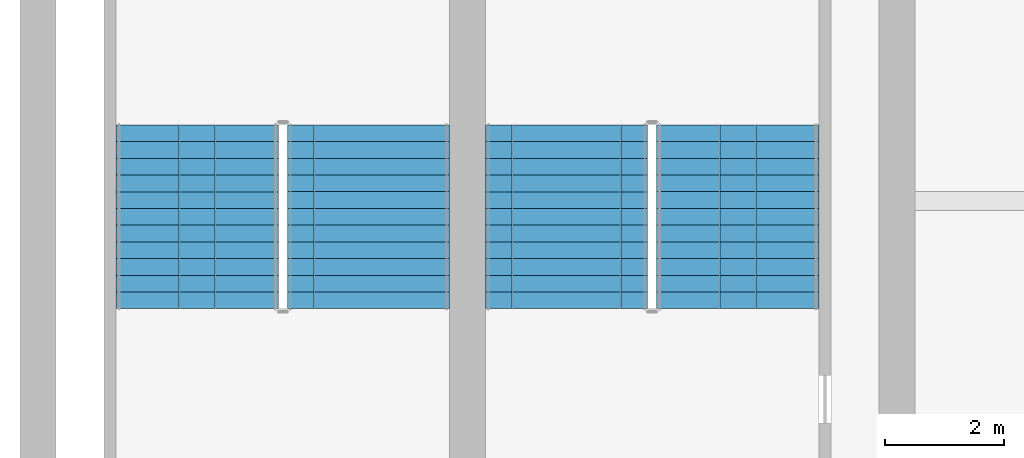
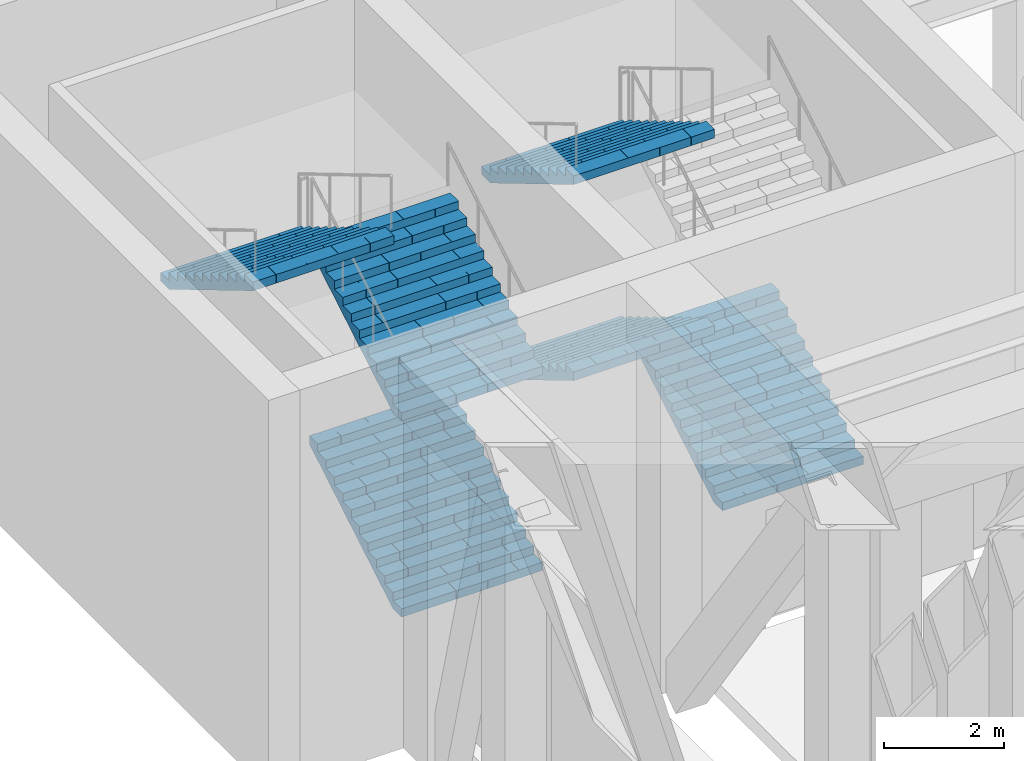
# One storey, part 15 of 20: 6 stair flights, 2 elements without a shape of their own.
"""IFC4 building model written with IfcOpenShell, lengths in metres."""

from ifc_helpers import new_model, si_unit, direction, frame, origin, place, context, subcontext, project, spatial, polyline, outline, extrude, material, type_object, element, aggregate, save


model = new_model("IFC4")

# Units and contexts
model_context = context("Model", 3, precision=1e-05, world=origin(), true_north=direction((0.0, 1.0)))
body_context = subcontext(model_context, "Body", "Model", "MODEL_VIEW")
ifc_project = project(units=[si_unit("LENGTHUNIT", "METRE"), si_unit("AREAUNIT", "SQUARE_METRE"), si_unit("VOLUMEUNIT", "CUBIC_METRE"), si_unit("PLANEANGLEUNIT", "RADIAN"), si_unit("MASSUNIT", "GRAM", prefix="KILO")], contexts=[model_context])

# Site, building, storey
site_placement = place(None, origin())
site = spatial("IfcSite", under=ifc_project, at=site_placement, CompositionType="ELEMENT")
building_placement = place(site_placement, origin())
building = spatial("IfcBuilding", under=site, at=building_placement, Name="Corbelhall Arena Tower", CompositionType="ELEMENT")
storey_placement = place(building_placement, frame((0.0, 0.0, 52.0)))
storey = spatial("IfcBuildingStorey", under=building, at=storey_placement, Name="L07", CompositionType="ELEMENT", Elevation=52.0)

# Stair, stair flights
ifc_material = material(Name="Reinforced concrete C40/50", Category="concrete")
stair_type = type_object("IfcStairType", Name="AR-EXIT-STAIR", PredefinedType="HALF_TURN_STAIR", material=ifc_material)
stair_1_placement = place(storey_placement, origin())
stair_1 = element("IfcStair", 1, at=stair_1_placement, inside=storey, type_object=stair_type, Name="L07 exit stair AS3", PredefinedType="HALF_TURN_STAIR")
stair_flight_type = type_object("IfcStairFlightType", Name="AR-EXIT-FLIGHT", PredefinedType="STRAIGHT", material=ifc_material)
stair_flight_1_placement = place(storey_placement, frame((-35.969970703125, 27.320068359375, 0.0), z_axis=(0.0, 0.0, 1.0), x_axis=(0.0, 1.0, 0.0)))
stair_flight_1 = element("IfcStairFlight", 2, at=stair_flight_1_placement, type_object=stair_flight_type, Name="AS3 flight 1", NumberOfRisers=12, NumberOfTreads=11, PredefinedType="STRAIGHT", RiserHeight=0.166666667, TreadLength=0.28, context=body_context, shape_type="SweptSolid", body=[
    extrude(outline(polyline([(0.0, 0.0), (0.0, 0.166748046875), (0.280029296875, 0.166748046875), (0.280029296875, 0.333251953125), (0.56005859375, 0.333251953125), (0.56005859375, 0.5), (0.840087890625, 0.5), (0.840087890625, 0.666748046875), (1.1201171875, 0.666748046875), (1.1201171875, 0.833251953125), (1.39990234375, 0.833251953125), (1.39990234375, 1.0), (1.679931640625, 1.0), (1.679931640625, 1.166748046875), (1.9599609375, 1.166748046875), (1.9599609375, 1.333251953125), (2.239990234375, 1.333251953125), (2.239990234375, 1.5), (2.52001953125, 1.5), (2.52001953125, 1.666748046875), (2.800048828125, 1.666748046875), (2.800048828125, 1.833251953125), (3.080078125, 1.833251953125), (3.080078125, 2.0), (3.080078125, 1.658935546875), (0.29296875, 0.0), (0.0, 0.0)])), frame((0.0, 1.35986328125, 0.0), z_axis=(0.0, -1.0, 0.0), x_axis=(1.0, 0.0, 0.0)), (0.0, 0.0, 1.0), 0.449951171875),
    extrude(outline(polyline([(0.0, 0.0), (0.0, 0.166748046875), (0.280029296875, 0.166748046875), (0.280029296875, 0.333251953125), (0.56005859375, 0.333251953125), (0.56005859375, 0.5), (0.840087890625, 0.5), (0.840087890625, 0.666748046875), (1.1201171875, 0.666748046875), (1.1201171875, 0.833251953125), (1.39990234375, 0.833251953125), (1.39990234375, 1.0), (1.679931640625, 1.0), (1.679931640625, 1.166748046875), (1.9599609375, 1.166748046875), (1.9599609375, 1.333251953125), (2.239990234375, 1.333251953125), (2.239990234375, 1.5), (2.52001953125, 1.5), (2.52001953125, 1.666748046875), (2.800048828125, 1.666748046875), (2.800048828125, 1.833251953125), (3.080078125, 1.833251953125), (3.080078125, 2.0), (3.080078125, 1.658935546875), (0.29296875, 0.0), (0.0, 0.0)])), frame((0.0, 0.906005859375, 0.0), z_axis=(0.0, -1.0, 0.0), x_axis=(1.0, 0.0, 0.0)), (0.0, 0.0, 1.0), 0.601318359375),
    extrude(outline(polyline([(0.0, 0.0), (0.0, 0.166748046875), (0.280029296875, 0.166748046875), (0.280029296875, 0.333251953125), (0.56005859375, 0.333251953125), (0.56005859375, 0.5), (0.840087890625, 0.5), (0.840087890625, 0.666748046875), (1.1201171875, 0.666748046875), (1.1201171875, 0.833251953125), (1.39990234375, 0.833251953125), (1.39990234375, 1.0), (1.679931640625, 1.0), (1.679931640625, 1.166748046875), (1.9599609375, 1.166748046875), (1.9599609375, 1.333251953125), (2.239990234375, 1.333251953125), (2.239990234375, 1.5), (2.52001953125, 1.5), (2.52001953125, 1.666748046875), (2.800048828125, 1.666748046875), (2.800048828125, 1.833251953125), (3.080078125, 1.833251953125), (3.080078125, 2.0), (3.080078125, 1.658935546875), (0.29296875, 0.0), (0.0, 0.0)])), frame((0.0, 0.30078125, 0.0), z_axis=(0.0, -1.0, 0.0), x_axis=(1.0, 0.0, 0.0)), (0.0, 0.0, 1.0), 0.601318359375),
    extrude(outline(polyline([(0.0, 0.0), (0.0, 0.166748046875), (0.280029296875, 0.166748046875), (0.280029296875, 0.333251953125), (0.56005859375, 0.333251953125), (0.56005859375, 0.5), (0.840087890625, 0.5), (0.840087890625, 0.666748046875), (1.1201171875, 0.666748046875), (1.1201171875, 0.833251953125), (1.39990234375, 0.833251953125), (1.39990234375, 1.0), (1.679931640625, 1.0), (1.679931640625, 1.166748046875), (1.9599609375, 1.166748046875), (1.9599609375, 1.333251953125), (2.239990234375, 1.333251953125), (2.239990234375, 1.5), (2.52001953125, 1.5), (2.52001953125, 1.666748046875), (2.800048828125, 1.666748046875), (2.800048828125, 1.833251953125), (3.080078125, 1.833251953125), (3.080078125, 2.0), (3.080078125, 1.658935546875), (0.29296875, 0.0), (0.0, 0.0)])), frame((0.0, -0.3046875, 0.0), z_axis=(0.0, -1.0, 0.0), x_axis=(1.0, 0.0, 0.0)), (0.0, 0.0, 1.0), 0.601318359375),
    extrude(outline(polyline([(0.0, 0.0), (0.0, 0.166748046875), (0.280029296875, 0.166748046875), (0.280029296875, 0.333251953125), (0.56005859375, 0.333251953125), (0.56005859375, 0.5), (0.840087890625, 0.5), (0.840087890625, 0.666748046875), (1.1201171875, 0.666748046875), (1.1201171875, 0.833251953125), (1.39990234375, 0.833251953125), (1.39990234375, 1.0), (1.679931640625, 1.0), (1.679931640625, 1.166748046875), (1.9599609375, 1.166748046875), (1.9599609375, 1.333251953125), (2.239990234375, 1.333251953125), (2.239990234375, 1.5), (2.52001953125, 1.5), (2.52001953125, 1.666748046875), (2.800048828125, 1.666748046875), (2.800048828125, 1.833251953125), (3.080078125, 1.833251953125), (3.080078125, 2.0), (3.080078125, 1.658935546875), (0.29296875, 0.0), (0.0, 0.0)])), frame((0.0, -0.909912109375, 0.0), z_axis=(0.0, -1.0, 0.0), x_axis=(1.0, 0.0, 0.0)), (0.0, 0.0, 1.0), 0.449951171875),
])
stair_flight_2_placement = place(storey_placement, frame((-38.840087890625, 30.39990234375, 2.0), z_axis=(0.0, 0.0, 1.0), x_axis=(0.0, -1.0, 0.0)))
stair_flight_2 = element("IfcStairFlight", 3, at=stair_flight_2_placement, type_object=stair_flight_type, Name="AS3 flight 2", NumberOfRisers=12, NumberOfTreads=11, PredefinedType="STRAIGHT", RiserHeight=0.166666667, TreadLength=0.28, context=body_context, shape_type="SweptSolid", body=[
    extrude(outline(polyline([(0.0, 0.0), (0.0, 0.166748046875), (0.280029296875, 0.166748046875), (0.280029296875, 0.333251953125), (0.56005859375, 0.333251953125), (0.56005859375, 0.5), (0.840087890625, 0.5), (0.840087890625, 0.666748046875), (1.1201171875, 0.666748046875), (1.1201171875, 0.833251953125), (1.39990234375, 0.833251953125), (1.39990234375, 1.0), (1.679931640625, 1.0), (1.679931640625, 1.166748046875), (1.9599609375, 1.166748046875), (1.9599609375, 1.333251953125), (2.239990234375, 1.333251953125), (2.239990234375, 1.5), (2.52001953125, 1.5), (2.52001953125, 1.666748046875), (2.800048828125, 1.666748046875), (2.800048828125, 1.833251953125), (3.080078125, 1.833251953125), (3.080078125, 2.0), (3.080078125, 1.658935546875), (0.29296875, 0.0), (0.0, 0.0)])), frame((0.0, 1.35986328125, 0.0), z_axis=(0.0, -1.0, 0.0), x_axis=(1.0, 0.0, 0.0)), (0.0, 0.0, 1.0), 0.449951171875),
    extrude(outline(polyline([(0.0, 0.0), (0.0, 0.166748046875), (0.280029296875, 0.166748046875), (0.280029296875, 0.333251953125), (0.56005859375, 0.333251953125), (0.56005859375, 0.5), (0.840087890625, 0.5), (0.840087890625, 0.666748046875), (1.1201171875, 0.666748046875), (1.1201171875, 0.833251953125), (1.39990234375, 0.833251953125), (1.39990234375, 1.0), (1.679931640625, 1.0), (1.679931640625, 1.166748046875), (1.9599609375, 1.166748046875), (1.9599609375, 1.333251953125), (2.239990234375, 1.333251953125), (2.239990234375, 1.5), (2.52001953125, 1.5), (2.52001953125, 1.666748046875), (2.800048828125, 1.666748046875), (2.800048828125, 1.833251953125), (3.080078125, 1.833251953125), (3.080078125, 2.0), (3.080078125, 1.658935546875), (0.29296875, 0.0), (0.0, 0.0)])), frame((0.0, 0.906005859375, 0.0), z_axis=(0.0, -1.0, 0.0), x_axis=(1.0, 0.0, 0.0)), (0.0, 0.0, 1.0), 0.601318359375),
    extrude(outline(polyline([(0.0, 0.0), (0.0, 0.166748046875), (0.280029296875, 0.166748046875), (0.280029296875, 0.333251953125), (0.56005859375, 0.333251953125), (0.56005859375, 0.5), (0.840087890625, 0.5), (0.840087890625, 0.666748046875), (1.1201171875, 0.666748046875), (1.1201171875, 0.833251953125), (1.39990234375, 0.833251953125), (1.39990234375, 1.0), (1.679931640625, 1.0), (1.679931640625, 1.166748046875), (1.9599609375, 1.166748046875), (1.9599609375, 1.333251953125), (2.239990234375, 1.333251953125), (2.239990234375, 1.5), (2.52001953125, 1.5), (2.52001953125, 1.666748046875), (2.800048828125, 1.666748046875), (2.800048828125, 1.833251953125), (3.080078125, 1.833251953125), (3.080078125, 2.0), (3.080078125, 1.658935546875), (0.29296875, 0.0), (0.0, 0.0)])), frame((0.0, 0.30078125, 0.0), z_axis=(0.0, -1.0, 0.0), x_axis=(1.0, 0.0, 0.0)), (0.0, 0.0, 1.0), 0.601318359375),
    extrude(outline(polyline([(0.0, 0.0), (0.0, 0.166748046875), (0.280029296875, 0.166748046875), (0.280029296875, 0.333251953125), (0.56005859375, 0.333251953125), (0.56005859375, 0.5), (0.840087890625, 0.5), (0.840087890625, 0.666748046875), (1.1201171875, 0.666748046875), (1.1201171875, 0.833251953125), (1.39990234375, 0.833251953125), (1.39990234375, 1.0), (1.679931640625, 1.0), (1.679931640625, 1.166748046875), (1.9599609375, 1.166748046875), (1.9599609375, 1.333251953125), (2.239990234375, 1.333251953125), (2.239990234375, 1.5), (2.52001953125, 1.5), (2.52001953125, 1.666748046875), (2.800048828125, 1.666748046875), (2.800048828125, 1.833251953125), (3.080078125, 1.833251953125), (3.080078125, 2.0), (3.080078125, 1.658935546875), (0.29296875, 0.0), (0.0, 0.0)])), frame((0.0, -0.3046875, 0.0), z_axis=(0.0, -1.0, 0.0), x_axis=(1.0, 0.0, 0.0)), (0.0, 0.0, 1.0), 0.601318359375),
    extrude(outline(polyline([(0.0, 0.0), (0.0, 0.166748046875), (0.280029296875, 0.166748046875), (0.280029296875, 0.333251953125), (0.56005859375, 0.333251953125), (0.56005859375, 0.5), (0.840087890625, 0.5), (0.840087890625, 0.666748046875), (1.1201171875, 0.666748046875), (1.1201171875, 0.833251953125), (1.39990234375, 0.833251953125), (1.39990234375, 1.0), (1.679931640625, 1.0), (1.679931640625, 1.166748046875), (1.9599609375, 1.166748046875), (1.9599609375, 1.333251953125), (2.239990234375, 1.333251953125), (2.239990234375, 1.5), (2.52001953125, 1.5), (2.52001953125, 1.666748046875), (2.800048828125, 1.666748046875), (2.800048828125, 1.833251953125), (3.080078125, 1.833251953125), (3.080078125, 2.0), (3.080078125, 1.658935546875), (0.29296875, 0.0), (0.0, 0.0)])), frame((0.0, -0.909912109375, 0.0), z_axis=(0.0, -1.0, 0.0), x_axis=(1.0, 0.0, 0.0)), (0.0, 0.0, 1.0), 0.449951171875),
])
stair_flight_3_placement = place(storey_placement, frame((-38.840087890625, 30.39990234375, 6.0), z_axis=(0.0, 0.0, 1.0), x_axis=(0.0, -1.0, 0.0)))
stair_flight_3 = element("IfcStairFlight", 4, at=stair_flight_3_placement, type_object=stair_flight_type, Name="AS3 flight 4", NumberOfRisers=12, NumberOfTreads=11, PredefinedType="STRAIGHT", RiserHeight=0.166666667, TreadLength=0.28, context=body_context, shape_type="SweptSolid", body=[
    extrude(outline(polyline([(0.0, 0.0), (0.0, 0.166748046875), (0.280029296875, 0.166748046875), (0.280029296875, 0.333251953125), (0.56005859375, 0.333251953125), (0.56005859375, 0.5), (0.840087890625, 0.5), (0.840087890625, 0.666748046875), (1.1201171875, 0.666748046875), (1.1201171875, 0.833251953125), (1.39990234375, 0.833251953125), (1.39990234375, 1.0), (1.679931640625, 1.0), (1.679931640625, 1.166748046875), (1.9599609375, 1.166748046875), (1.9599609375, 1.333251953125), (2.239990234375, 1.333251953125), (2.239990234375, 1.5), (2.52001953125, 1.5), (2.52001953125, 1.666748046875), (2.800048828125, 1.666748046875), (2.800048828125, 1.833251953125), (3.080078125, 1.833251953125), (3.080078125, 2.0), (3.080078125, 1.658935546875), (0.29296875, 0.0), (0.0, 0.0)])), frame((0.0, 1.35986328125, 0.0), z_axis=(0.0, -1.0, 0.0), x_axis=(1.0, 0.0, 0.0)), (0.0, 0.0, 1.0), 0.449951171875),
    extrude(outline(polyline([(0.0, 0.0), (0.0, 0.166748046875), (0.280029296875, 0.166748046875), (0.280029296875, 0.333251953125), (0.56005859375, 0.333251953125), (0.56005859375, 0.5), (0.840087890625, 0.5), (0.840087890625, 0.666748046875), (1.1201171875, 0.666748046875), (1.1201171875, 0.833251953125), (1.39990234375, 0.833251953125), (1.39990234375, 1.0), (1.679931640625, 1.0), (1.679931640625, 1.166748046875), (1.9599609375, 1.166748046875), (1.9599609375, 1.333251953125), (2.239990234375, 1.333251953125), (2.239990234375, 1.5), (2.52001953125, 1.5), (2.52001953125, 1.666748046875), (2.800048828125, 1.666748046875), (2.800048828125, 1.833251953125), (3.080078125, 1.833251953125), (3.080078125, 2.0), (3.080078125, 1.658935546875), (0.29296875, 0.0), (0.0, 0.0)])), frame((0.0, 0.906005859375, 0.0), z_axis=(0.0, -1.0, 0.0), x_axis=(1.0, 0.0, 0.0)), (0.0, 0.0, 1.0), 0.601318359375),
    extrude(outline(polyline([(0.0, 0.0), (0.0, 0.166748046875), (0.280029296875, 0.166748046875), (0.280029296875, 0.333251953125), (0.56005859375, 0.333251953125), (0.56005859375, 0.5), (0.840087890625, 0.5), (0.840087890625, 0.666748046875), (1.1201171875, 0.666748046875), (1.1201171875, 0.833251953125), (1.39990234375, 0.833251953125), (1.39990234375, 1.0), (1.679931640625, 1.0), (1.679931640625, 1.166748046875), (1.9599609375, 1.166748046875), (1.9599609375, 1.333251953125), (2.239990234375, 1.333251953125), (2.239990234375, 1.5), (2.52001953125, 1.5), (2.52001953125, 1.666748046875), (2.800048828125, 1.666748046875), (2.800048828125, 1.833251953125), (3.080078125, 1.833251953125), (3.080078125, 2.0), (3.080078125, 1.658935546875), (0.29296875, 0.0), (0.0, 0.0)])), frame((0.0, 0.30078125, 0.0), z_axis=(0.0, -1.0, 0.0), x_axis=(1.0, 0.0, 0.0)), (0.0, 0.0, 1.0), 0.601318359375),
    extrude(outline(polyline([(0.0, 0.0), (0.0, 0.166748046875), (0.280029296875, 0.166748046875), (0.280029296875, 0.333251953125), (0.56005859375, 0.333251953125), (0.56005859375, 0.5), (0.840087890625, 0.5), (0.840087890625, 0.666748046875), (1.1201171875, 0.666748046875), (1.1201171875, 0.833251953125), (1.39990234375, 0.833251953125), (1.39990234375, 1.0), (1.679931640625, 1.0), (1.679931640625, 1.166748046875), (1.9599609375, 1.166748046875), (1.9599609375, 1.333251953125), (2.239990234375, 1.333251953125), (2.239990234375, 1.5), (2.52001953125, 1.5), (2.52001953125, 1.666748046875), (2.800048828125, 1.666748046875), (2.800048828125, 1.833251953125), (3.080078125, 1.833251953125), (3.080078125, 2.0), (3.080078125, 1.658935546875), (0.29296875, 0.0), (0.0, 0.0)])), frame((0.0, -0.3046875, 0.0), z_axis=(0.0, -1.0, 0.0), x_axis=(1.0, 0.0, 0.0)), (0.0, 0.0, 1.0), 0.601318359375),
    extrude(outline(polyline([(0.0, 0.0), (0.0, 0.166748046875), (0.280029296875, 0.166748046875), (0.280029296875, 0.333251953125), (0.56005859375, 0.333251953125), (0.56005859375, 0.5), (0.840087890625, 0.5), (0.840087890625, 0.666748046875), (1.1201171875, 0.666748046875), (1.1201171875, 0.833251953125), (1.39990234375, 0.833251953125), (1.39990234375, 1.0), (1.679931640625, 1.0), (1.679931640625, 1.166748046875), (1.9599609375, 1.166748046875), (1.9599609375, 1.333251953125), (2.239990234375, 1.333251953125), (2.239990234375, 1.5), (2.52001953125, 1.5), (2.52001953125, 1.666748046875), (2.800048828125, 1.666748046875), (2.800048828125, 1.833251953125), (3.080078125, 1.833251953125), (3.080078125, 2.0), (3.080078125, 1.658935546875), (0.29296875, 0.0), (0.0, 0.0)])), frame((0.0, -0.909912109375, 0.0), z_axis=(0.0, -1.0, 0.0), x_axis=(1.0, 0.0, 0.0)), (0.0, 0.0, 1.0), 0.449951171875),
])
aggregate(stair_1, [stair_flight_1, stair_flight_2, stair_flight_3])

stair_2_placement = place(storey_placement, origin())
stair_2 = element("IfcStair", 5, at=stair_2_placement, inside=storey, type_object=stair_type, Name="L07 exit stair AS4", PredefinedType="HALF_TURN_STAIR")
stair_flight_4_placement = place(storey_placement, frame((-42.159912109375, 27.320068359375, 0.0), z_axis=(0.0, 0.0, 1.0), x_axis=(0.0, 1.0, 0.0)))
stair_flight_4 = element("IfcStairFlight", 6, at=stair_flight_4_placement, type_object=stair_flight_type, Name="AS4 flight 1", NumberOfRisers=12, NumberOfTreads=11, PredefinedType="STRAIGHT", RiserHeight=0.166666667, TreadLength=0.28, context=body_context, shape_type="SweptSolid", body=[
    extrude(outline(polyline([(0.0, 0.0), (0.0, 0.166748046875), (0.280029296875, 0.166748046875), (0.280029296875, 0.333251953125), (0.56005859375, 0.333251953125), (0.56005859375, 0.5), (0.840087890625, 0.5), (0.840087890625, 0.666748046875), (1.1201171875, 0.666748046875), (1.1201171875, 0.833251953125), (1.39990234375, 0.833251953125), (1.39990234375, 1.0), (1.679931640625, 1.0), (1.679931640625, 1.166748046875), (1.9599609375, 1.166748046875), (1.9599609375, 1.333251953125), (2.239990234375, 1.333251953125), (2.239990234375, 1.5), (2.52001953125, 1.5), (2.52001953125, 1.666748046875), (2.800048828125, 1.666748046875), (2.800048828125, 1.833251953125), (3.080078125, 1.833251953125), (3.080078125, 2.0), (3.080078125, 1.658935546875), (0.29296875, 0.0), (0.0, 0.0)])), frame((0.0, 1.35986328125, 0.0), z_axis=(0.0, -1.0, 0.0), x_axis=(1.0, 0.0, 0.0)), (0.0, 0.0, 1.0), 0.449951171875),
    extrude(outline(polyline([(0.0, 0.0), (0.0, 0.166748046875), (0.280029296875, 0.166748046875), (0.280029296875, 0.333251953125), (0.56005859375, 0.333251953125), (0.56005859375, 0.5), (0.840087890625, 0.5), (0.840087890625, 0.666748046875), (1.1201171875, 0.666748046875), (1.1201171875, 0.833251953125), (1.39990234375, 0.833251953125), (1.39990234375, 1.0), (1.679931640625, 1.0), (1.679931640625, 1.166748046875), (1.9599609375, 1.166748046875), (1.9599609375, 1.333251953125), (2.239990234375, 1.333251953125), (2.239990234375, 1.5), (2.52001953125, 1.5), (2.52001953125, 1.666748046875), (2.800048828125, 1.666748046875), (2.800048828125, 1.833251953125), (3.080078125, 1.833251953125), (3.080078125, 2.0), (3.080078125, 1.658935546875), (0.29296875, 0.0), (0.0, 0.0)])), frame((0.0, 0.906005859375, 0.0), z_axis=(0.0, -1.0, 0.0), x_axis=(1.0, 0.0, 0.0)), (0.0, 0.0, 1.0), 0.601318359375),
    extrude(outline(polyline([(0.0, 0.0), (0.0, 0.166748046875), (0.280029296875, 0.166748046875), (0.280029296875, 0.333251953125), (0.56005859375, 0.333251953125), (0.56005859375, 0.5), (0.840087890625, 0.5), (0.840087890625, 0.666748046875), (1.1201171875, 0.666748046875), (1.1201171875, 0.833251953125), (1.39990234375, 0.833251953125), (1.39990234375, 1.0), (1.679931640625, 1.0), (1.679931640625, 1.166748046875), (1.9599609375, 1.166748046875), (1.9599609375, 1.333251953125), (2.239990234375, 1.333251953125), (2.239990234375, 1.5), (2.52001953125, 1.5), (2.52001953125, 1.666748046875), (2.800048828125, 1.666748046875), (2.800048828125, 1.833251953125), (3.080078125, 1.833251953125), (3.080078125, 2.0), (3.080078125, 1.658935546875), (0.29296875, 0.0), (0.0, 0.0)])), frame((0.0, 0.30078125, 0.0), z_axis=(0.0, -1.0, 0.0), x_axis=(1.0, 0.0, 0.0)), (0.0, 0.0, 1.0), 0.601318359375),
    extrude(outline(polyline([(0.0, 0.0), (0.0, 0.166748046875), (0.280029296875, 0.166748046875), (0.280029296875, 0.333251953125), (0.56005859375, 0.333251953125), (0.56005859375, 0.5), (0.840087890625, 0.5), (0.840087890625, 0.666748046875), (1.1201171875, 0.666748046875), (1.1201171875, 0.833251953125), (1.39990234375, 0.833251953125), (1.39990234375, 1.0), (1.679931640625, 1.0), (1.679931640625, 1.166748046875), (1.9599609375, 1.166748046875), (1.9599609375, 1.333251953125), (2.239990234375, 1.333251953125), (2.239990234375, 1.5), (2.52001953125, 1.5), (2.52001953125, 1.666748046875), (2.800048828125, 1.666748046875), (2.800048828125, 1.833251953125), (3.080078125, 1.833251953125), (3.080078125, 2.0), (3.080078125, 1.658935546875), (0.29296875, 0.0), (0.0, 0.0)])), frame((0.0, -0.3046875, 0.0), z_axis=(0.0, -1.0, 0.0), x_axis=(1.0, 0.0, 0.0)), (0.0, 0.0, 1.0), 0.601318359375),
    extrude(outline(polyline([(0.0, 0.0), (0.0, 0.166748046875), (0.280029296875, 0.166748046875), (0.280029296875, 0.333251953125), (0.56005859375, 0.333251953125), (0.56005859375, 0.5), (0.840087890625, 0.5), (0.840087890625, 0.666748046875), (1.1201171875, 0.666748046875), (1.1201171875, 0.833251953125), (1.39990234375, 0.833251953125), (1.39990234375, 1.0), (1.679931640625, 1.0), (1.679931640625, 1.166748046875), (1.9599609375, 1.166748046875), (1.9599609375, 1.333251953125), (2.239990234375, 1.333251953125), (2.239990234375, 1.5), (2.52001953125, 1.5), (2.52001953125, 1.666748046875), (2.800048828125, 1.666748046875), (2.800048828125, 1.833251953125), (3.080078125, 1.833251953125), (3.080078125, 2.0), (3.080078125, 1.658935546875), (0.29296875, 0.0), (0.0, 0.0)])), frame((0.0, -0.909912109375, 0.0), z_axis=(0.0, -1.0, 0.0), x_axis=(1.0, 0.0, 0.0)), (0.0, 0.0, 1.0), 0.449951171875),
])
stair_flight_5_placement = place(storey_placement, frame((-42.159912109375, 27.320068359375, 4.0), z_axis=(0.0, 0.0, 1.0), x_axis=(0.0, 1.0, 0.0)))
stair_flight_5 = element("IfcStairFlight", 7, at=stair_flight_5_placement, type_object=stair_flight_type, Name="AS4 flight 3", NumberOfRisers=12, NumberOfTreads=11, PredefinedType="STRAIGHT", RiserHeight=0.166666667, TreadLength=0.28, context=body_context, shape_type="SweptSolid", body=[
    extrude(outline(polyline([(0.0, 0.0), (0.0, 0.166748046875), (0.280029296875, 0.166748046875), (0.280029296875, 0.333251953125), (0.56005859375, 0.333251953125), (0.56005859375, 0.5), (0.840087890625, 0.5), (0.840087890625, 0.666748046875), (1.1201171875, 0.666748046875), (1.1201171875, 0.833251953125), (1.39990234375, 0.833251953125), (1.39990234375, 1.0), (1.679931640625, 1.0), (1.679931640625, 1.166748046875), (1.9599609375, 1.166748046875), (1.9599609375, 1.333251953125), (2.239990234375, 1.333251953125), (2.239990234375, 1.5), (2.52001953125, 1.5), (2.52001953125, 1.666748046875), (2.800048828125, 1.666748046875), (2.800048828125, 1.833251953125), (3.080078125, 1.833251953125), (3.080078125, 2.0), (3.080078125, 1.658935546875), (0.29296875, 0.0), (0.0, 0.0)])), frame((0.0, 1.35986328125, 0.0), z_axis=(0.0, -1.0, 0.0), x_axis=(1.0, 0.0, 0.0)), (0.0, 0.0, 1.0), 0.449951171875),
    extrude(outline(polyline([(0.0, 0.0), (0.0, 0.166748046875), (0.280029296875, 0.166748046875), (0.280029296875, 0.333251953125), (0.56005859375, 0.333251953125), (0.56005859375, 0.5), (0.840087890625, 0.5), (0.840087890625, 0.666748046875), (1.1201171875, 0.666748046875), (1.1201171875, 0.833251953125), (1.39990234375, 0.833251953125), (1.39990234375, 1.0), (1.679931640625, 1.0), (1.679931640625, 1.166748046875), (1.9599609375, 1.166748046875), (1.9599609375, 1.333251953125), (2.239990234375, 1.333251953125), (2.239990234375, 1.5), (2.52001953125, 1.5), (2.52001953125, 1.666748046875), (2.800048828125, 1.666748046875), (2.800048828125, 1.833251953125), (3.080078125, 1.833251953125), (3.080078125, 2.0), (3.080078125, 1.658935546875), (0.29296875, 0.0), (0.0, 0.0)])), frame((0.0, 0.906005859375, 0.0), z_axis=(0.0, -1.0, 0.0), x_axis=(1.0, 0.0, 0.0)), (0.0, 0.0, 1.0), 0.601318359375),
    extrude(outline(polyline([(0.0, 0.0), (0.0, 0.166748046875), (0.280029296875, 0.166748046875), (0.280029296875, 0.333251953125), (0.56005859375, 0.333251953125), (0.56005859375, 0.5), (0.840087890625, 0.5), (0.840087890625, 0.666748046875), (1.1201171875, 0.666748046875), (1.1201171875, 0.833251953125), (1.39990234375, 0.833251953125), (1.39990234375, 1.0), (1.679931640625, 1.0), (1.679931640625, 1.166748046875), (1.9599609375, 1.166748046875), (1.9599609375, 1.333251953125), (2.239990234375, 1.333251953125), (2.239990234375, 1.5), (2.52001953125, 1.5), (2.52001953125, 1.666748046875), (2.800048828125, 1.666748046875), (2.800048828125, 1.833251953125), (3.080078125, 1.833251953125), (3.080078125, 2.0), (3.080078125, 1.658935546875), (0.29296875, 0.0), (0.0, 0.0)])), frame((0.0, 0.30078125, 0.0), z_axis=(0.0, -1.0, 0.0), x_axis=(1.0, 0.0, 0.0)), (0.0, 0.0, 1.0), 0.601318359375),
    extrude(outline(polyline([(0.0, 0.0), (0.0, 0.166748046875), (0.280029296875, 0.166748046875), (0.280029296875, 0.333251953125), (0.56005859375, 0.333251953125), (0.56005859375, 0.5), (0.840087890625, 0.5), (0.840087890625, 0.666748046875), (1.1201171875, 0.666748046875), (1.1201171875, 0.833251953125), (1.39990234375, 0.833251953125), (1.39990234375, 1.0), (1.679931640625, 1.0), (1.679931640625, 1.166748046875), (1.9599609375, 1.166748046875), (1.9599609375, 1.333251953125), (2.239990234375, 1.333251953125), (2.239990234375, 1.5), (2.52001953125, 1.5), (2.52001953125, 1.666748046875), (2.800048828125, 1.666748046875), (2.800048828125, 1.833251953125), (3.080078125, 1.833251953125), (3.080078125, 2.0), (3.080078125, 1.658935546875), (0.29296875, 0.0), (0.0, 0.0)])), frame((0.0, -0.3046875, 0.0), z_axis=(0.0, -1.0, 0.0), x_axis=(1.0, 0.0, 0.0)), (0.0, 0.0, 1.0), 0.601318359375),
    extrude(outline(polyline([(0.0, 0.0), (0.0, 0.166748046875), (0.280029296875, 0.166748046875), (0.280029296875, 0.333251953125), (0.56005859375, 0.333251953125), (0.56005859375, 0.5), (0.840087890625, 0.5), (0.840087890625, 0.666748046875), (1.1201171875, 0.666748046875), (1.1201171875, 0.833251953125), (1.39990234375, 0.833251953125), (1.39990234375, 1.0), (1.679931640625, 1.0), (1.679931640625, 1.166748046875), (1.9599609375, 1.166748046875), (1.9599609375, 1.333251953125), (2.239990234375, 1.333251953125), (2.239990234375, 1.5), (2.52001953125, 1.5), (2.52001953125, 1.666748046875), (2.800048828125, 1.666748046875), (2.800048828125, 1.833251953125), (3.080078125, 1.833251953125), (3.080078125, 2.0), (3.080078125, 1.658935546875), (0.29296875, 0.0), (0.0, 0.0)])), frame((0.0, -0.909912109375, 0.0), z_axis=(0.0, -1.0, 0.0), x_axis=(1.0, 0.0, 0.0)), (0.0, 0.0, 1.0), 0.449951171875),
])
stair_flight_6_placement = place(storey_placement, frame((-45.030029296875, 30.39990234375, 6.0), z_axis=(0.0, 0.0, 1.0), x_axis=(0.0, -1.0, 0.0)))
stair_flight_6 = element("IfcStairFlight", 8, at=stair_flight_6_placement, type_object=stair_flight_type, Name="AS4 flight 4", NumberOfRisers=12, NumberOfTreads=11, PredefinedType="STRAIGHT", RiserHeight=0.166666667, TreadLength=0.28, context=body_context, shape_type="SweptSolid", body=[
    extrude(outline(polyline([(0.0, 0.0), (0.0, 0.166748046875), (0.280029296875, 0.166748046875), (0.280029296875, 0.333251953125), (0.56005859375, 0.333251953125), (0.56005859375, 0.5), (0.840087890625, 0.5), (0.840087890625, 0.666748046875), (1.1201171875, 0.666748046875), (1.1201171875, 0.833251953125), (1.39990234375, 0.833251953125), (1.39990234375, 1.0), (1.679931640625, 1.0), (1.679931640625, 1.166748046875), (1.9599609375, 1.166748046875), (1.9599609375, 1.333251953125), (2.239990234375, 1.333251953125), (2.239990234375, 1.5), (2.52001953125, 1.5), (2.52001953125, 1.666748046875), (2.800048828125, 1.666748046875), (2.800048828125, 1.833251953125), (3.080078125, 1.833251953125), (3.080078125, 2.0), (3.080078125, 1.658935546875), (0.29296875, 0.0), (0.0, 0.0)])), frame((0.0, 1.35986328125, 0.0), z_axis=(0.0, -1.0, 0.0), x_axis=(1.0, 0.0, 0.0)), (0.0, 0.0, 1.0), 0.449951171875),
    extrude(outline(polyline([(0.0, 0.0), (0.0, 0.166748046875), (0.280029296875, 0.166748046875), (0.280029296875, 0.333251953125), (0.56005859375, 0.333251953125), (0.56005859375, 0.5), (0.840087890625, 0.5), (0.840087890625, 0.666748046875), (1.1201171875, 0.666748046875), (1.1201171875, 0.833251953125), (1.39990234375, 0.833251953125), (1.39990234375, 1.0), (1.679931640625, 1.0), (1.679931640625, 1.166748046875), (1.9599609375, 1.166748046875), (1.9599609375, 1.333251953125), (2.239990234375, 1.333251953125), (2.239990234375, 1.5), (2.52001953125, 1.5), (2.52001953125, 1.666748046875), (2.800048828125, 1.666748046875), (2.800048828125, 1.833251953125), (3.080078125, 1.833251953125), (3.080078125, 2.0), (3.080078125, 1.658935546875), (0.29296875, 0.0), (0.0, 0.0)])), frame((0.0, 0.906005859375, 0.0), z_axis=(0.0, -1.0, 0.0), x_axis=(1.0, 0.0, 0.0)), (0.0, 0.0, 1.0), 0.601318359375),
    extrude(outline(polyline([(0.0, 0.0), (0.0, 0.166748046875), (0.280029296875, 0.166748046875), (0.280029296875, 0.333251953125), (0.56005859375, 0.333251953125), (0.56005859375, 0.5), (0.840087890625, 0.5), (0.840087890625, 0.666748046875), (1.1201171875, 0.666748046875), (1.1201171875, 0.833251953125), (1.39990234375, 0.833251953125), (1.39990234375, 1.0), (1.679931640625, 1.0), (1.679931640625, 1.166748046875), (1.9599609375, 1.166748046875), (1.9599609375, 1.333251953125), (2.239990234375, 1.333251953125), (2.239990234375, 1.5), (2.52001953125, 1.5), (2.52001953125, 1.666748046875), (2.800048828125, 1.666748046875), (2.800048828125, 1.833251953125), (3.080078125, 1.833251953125), (3.080078125, 2.0), (3.080078125, 1.658935546875), (0.29296875, 0.0), (0.0, 0.0)])), frame((0.0, 0.30078125, 0.0), z_axis=(0.0, -1.0, 0.0), x_axis=(1.0, 0.0, 0.0)), (0.0, 0.0, 1.0), 0.601318359375),
    extrude(outline(polyline([(0.0, 0.0), (0.0, 0.166748046875), (0.280029296875, 0.166748046875), (0.280029296875, 0.333251953125), (0.56005859375, 0.333251953125), (0.56005859375, 0.5), (0.840087890625, 0.5), (0.840087890625, 0.666748046875), (1.1201171875, 0.666748046875), (1.1201171875, 0.833251953125), (1.39990234375, 0.833251953125), (1.39990234375, 1.0), (1.679931640625, 1.0), (1.679931640625, 1.166748046875), (1.9599609375, 1.166748046875), (1.9599609375, 1.333251953125), (2.239990234375, 1.333251953125), (2.239990234375, 1.5), (2.52001953125, 1.5), (2.52001953125, 1.666748046875), (2.800048828125, 1.666748046875), (2.800048828125, 1.833251953125), (3.080078125, 1.833251953125), (3.080078125, 2.0), (3.080078125, 1.658935546875), (0.29296875, 0.0), (0.0, 0.0)])), frame((0.0, -0.3046875, 0.0), z_axis=(0.0, -1.0, 0.0), x_axis=(1.0, 0.0, 0.0)), (0.0, 0.0, 1.0), 0.601318359375),
    extrude(outline(polyline([(0.0, 0.0), (0.0, 0.166748046875), (0.280029296875, 0.166748046875), (0.280029296875, 0.333251953125), (0.56005859375, 0.333251953125), (0.56005859375, 0.5), (0.840087890625, 0.5), (0.840087890625, 0.666748046875), (1.1201171875, 0.666748046875), (1.1201171875, 0.833251953125), (1.39990234375, 0.833251953125), (1.39990234375, 1.0), (1.679931640625, 1.0), (1.679931640625, 1.166748046875), (1.9599609375, 1.166748046875), (1.9599609375, 1.333251953125), (2.239990234375, 1.333251953125), (2.239990234375, 1.5), (2.52001953125, 1.5), (2.52001953125, 1.666748046875), (2.800048828125, 1.666748046875), (2.800048828125, 1.833251953125), (3.080078125, 1.833251953125), (3.080078125, 2.0), (3.080078125, 1.658935546875), (0.29296875, 0.0), (0.0, 0.0)])), frame((0.0, -0.909912109375, 0.0), z_axis=(0.0, -1.0, 0.0), x_axis=(1.0, 0.0, 0.0)), (0.0, 0.0, 1.0), 0.449951171875),
])
aggregate(stair_2, [stair_flight_4, stair_flight_5, stair_flight_6])

save(model, "model.ifc")
